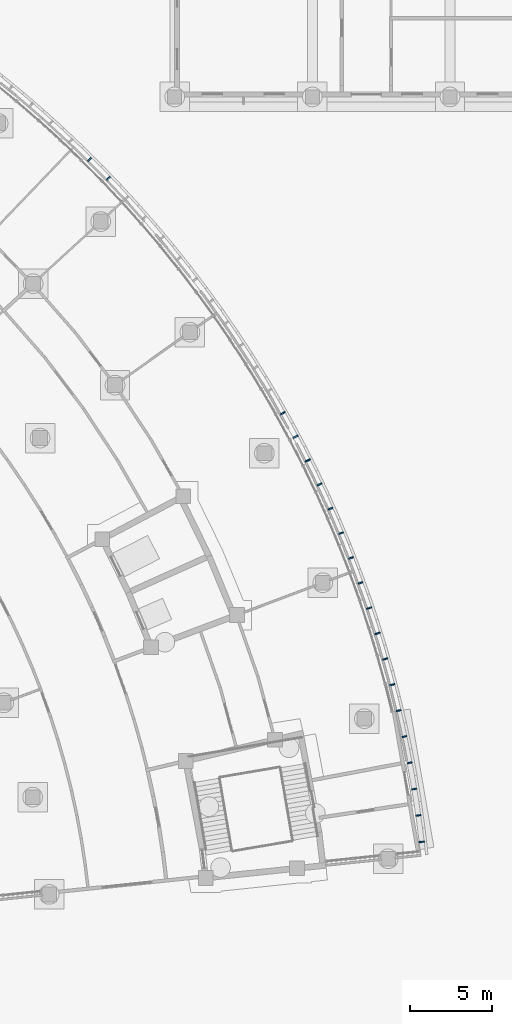
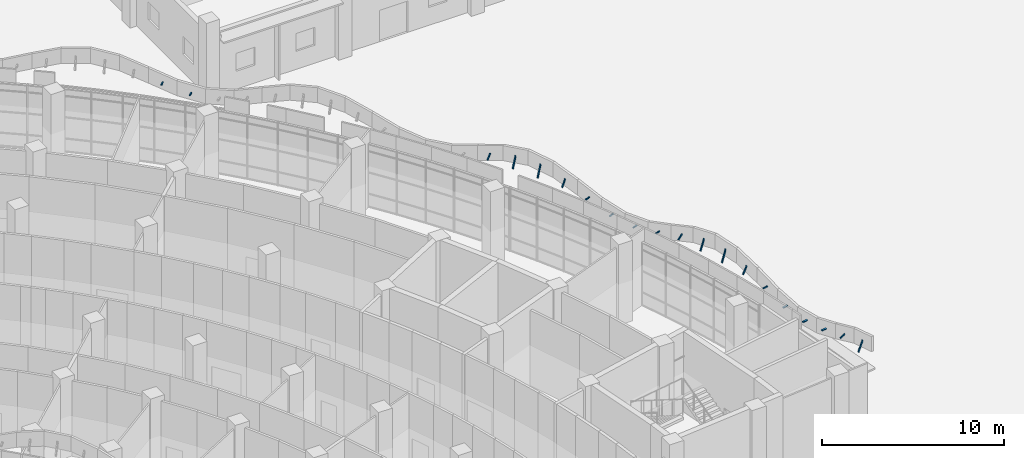
# One storey, part 113 of 146: 20 discrete accessories.
"""IFC4 building model written with IfcOpenShell, lengths in metres."""

from ifc_helpers import new_model, si_unit, direction, frame, origin, origin_2d, place, context, subcontext, project, spatial, rectangle, extrude, material, material_profile, profile_set, type_object, element, save


model = new_model("IFC4")

# Units and contexts
model_context = context("Model", 3, precision=1e-05, world=origin(), true_north=direction((0.0, 1.0)))
body_context = subcontext(model_context, "Body", "Model", "MODEL_VIEW")
ifc_project = project(units=[si_unit("LENGTHUNIT", "METRE"), si_unit("AREAUNIT", "SQUARE_METRE"), si_unit("VOLUMEUNIT", "CUBIC_METRE"), si_unit("PLANEANGLEUNIT", "RADIAN"), si_unit("MASSUNIT", "GRAM", prefix="KILO")], contexts=[model_context])

# Site, building, storey
site_placement = place(None, origin())
site = spatial("IfcSite", under=ifc_project, at=site_placement, CompositionType="ELEMENT")
building_placement = place(site_placement, origin())
building = spatial("IfcBuilding", under=site, at=building_placement, Name="Bougainvillea Quay General Hospital", CompositionType="ELEMENT")
storey_placement = place(building_placement, origin())
storey = spatial("IfcBuildingStorey", under=building, at=storey_placement, Name="L00", CompositionType="ELEMENT", Elevation=0.0)

# Discrete accessories
ifc_material = material(Name="Stainless steel bracket, grade 316", Category="steel")
ifc_material_profile = material_profile(ifc_material, rectangle(XDim=0.080078125, YDim=0.050048828125, at=origin_2d()))
ifc_profile_set = profile_set([ifc_material_profile], Name="Stainless steel bracket, grade 316")
discrete_accessory_type = type_object("IfcDiscreteAccessoryType", Name="Stainless steel stand-off bracket 80x50", PredefinedType="BRACKET", material=ifc_profile_set)
discrete_accessory_1_placement = place(storey_placement, frame((178.72265625, 30.123779296875, 5.340087890625), z_axis=(0.409064049462, 0.047573378398, 0.911264712971), x_axis=(-0.115519524784, 0.993305209587, 0.0)))
element("IfcDiscreteAccessory", 1, at=discrete_accessory_1_placement, inside=storey, type_object=discrete_accessory_type, Name="Fascia bracket a23 1", PredefinedType="BRACKET", context=body_context, shape_type="SweptSolid", body=[
    extrude(rectangle(XDim=0.080078125, YDim=0.050048828125, at=origin_2d()), origin(), (0.0, 0.0, 1.0), 0.728759765625),
])
discrete_accessory_2_placement = place(storey_placement, frame((178.515625, 31.734619140625, 5.340087890625), z_axis=(0.835574458245, 0.117502658191, 0.536664187409), x_axis=(-0.139254831399, 0.990256578838, 0.0)))
element("IfcDiscreteAccessory", 2, at=discrete_accessory_2_placement, inside=storey, type_object=discrete_accessory_type, Name="Fascia bracket a23 2", PredefinedType="BRACKET", context=body_context, shape_type="SweptSolid", body=[
    extrude(rectangle(XDim=0.080078125, YDim=0.050048828125, at=origin_2d()), origin(), (0.0, 0.0, 1.0), 0.355224609375),
])
for number, where, z_axis, x_axis, name in (
    (3, (178.27099609375, 33.34033203125, 4.982177734375), (0.986808496328, 0.161891913248, 0.0), (-0.161891913248, 0.986808496328, 0.0), "Fascia bracket a23 3"),
    (4, (177.9892578125, 34.93994140625, 4.673583984375), (0.982798426124, 0.184681492326, 0.0), (-0.184681492326, 0.982798426124, 0.0), "Fascia bracket a23 4"),
    (5, (177.67041015625, 36.532470703125, 4.7822265625), (0.978229118806, 0.207527808066, 0.0), (-0.207527808066, 0.978229118806, 0.0), "Fascia bracket a23 5"),
    (6, (177.31494140625, 38.1171875, 5.24560546875), (0.973128285199, 0.230263632702, 0.0), (-0.230263632702, 0.973128285199, 0.0), "Fascia bracket a23 6"),
):
    element("IfcDiscreteAccessory", number, at=place(storey_placement, frame(where, z_axis=z_axis, x_axis=x_axis)), inside=storey, type_object=discrete_accessory_type, Name=name, PredefinedType="BRACKET", context=body_context, shape_type="SweptSolid", body=[
        extrude(rectangle(XDim=0.080078125, YDim=0.050048828125, at=origin_2d()), origin(), (0.0, 0.0, 1.0), 0.300048828125),
    ])
discrete_accessory_3_placement = place(storey_placement, frame((176.922607421875, 39.693359375, 5.340087890625), z_axis=(0.530356282501, 0.138722290881, 0.836348216728), x_axis=(-0.253051177421, 0.96745289374, 0.0)))
element("IfcDiscreteAccessory", 7, at=discrete_accessory_3_placement, inside=storey, type_object=discrete_accessory_type, Name="Fascia bracket a23 7", PredefinedType="BRACKET", context=body_context, shape_type="SweptSolid", body=[
    extrude(rectangle(XDim=0.080078125, YDim=0.050048828125, at=origin_2d()), origin(), (0.0, 0.0, 1.0), 0.54736328125),
])
discrete_accessory_4_placement = place(storey_placement, frame((176.493896484375, 41.260009765625, 5.340087890625), z_axis=(0.34445387998, 0.098582058792, 0.933612929565), x_axis=(-0.275151168114, 0.961400974977, 0.0)))
element("IfcDiscreteAccessory", 8, at=discrete_accessory_4_placement, inside=storey, type_object=discrete_accessory_type, Name="Fascia bracket a23 8", PredefinedType="BRACKET", context=body_context, shape_type="SweptSolid", body=[
    extrude(rectangle(XDim=0.080078125, YDim=0.050048828125, at=origin_2d()), origin(), (0.0, 0.0, 1.0), 0.837158203125),
])
discrete_accessory_5_placement = place(storey_placement, frame((176.02880859375, 42.816162109375, 5.340087890625), z_axis=(0.380308811324, 0.118664130388, 0.917215368487), x_axis=(-0.297857918398, 0.954610213882, 0.0)))
element("IfcDiscreteAccessory", 9, at=discrete_accessory_5_placement, inside=storey, type_object=discrete_accessory_type, Name="Fascia bracket a23 9", PredefinedType="BRACKET", context=body_context, shape_type="SweptSolid", body=[
    extrude(rectangle(XDim=0.080078125, YDim=0.050048828125, at=origin_2d()), origin(), (0.0, 0.0, 1.0), 0.7529296875),
])
discrete_accessory_6_placement = place(storey_placement, frame((175.52783203125, 44.361328125, 5.340087890625), z_axis=(0.742850929736, 0.250169728914, 0.620957005698), x_axis=(-0.319157293098, 0.947701758077, 0.0)))
element("IfcDiscreteAccessory", 10, at=discrete_accessory_6_placement, inside=storey, type_object=discrete_accessory_type, Name="Fascia bracket a23 10", PredefinedType="BRACKET", context=body_context, shape_type="SweptSolid", body=[
    extrude(rectangle(XDim=0.080078125, YDim=0.050048828125, at=origin_2d()), origin(), (0.0, 0.0, 1.0), 0.382568359375),
])
for number, where, z_axis, x_axis, name in (
    (11, (174.9912109375, 45.894287109375, 5.0224609375), (0.94005454712, 0.341024117094, 0.0), (-0.341024117094, 0.94005454712, 0.0), "Fascia bracket a23 11"),
    (12, (174.4189453125, 47.414306640625, 4.684326171875), (0.931805989628, 0.362956743558, 0.0), (-0.362956743558, 0.931805989628, 0.0), "Fascia bracket a23 12"),
    (13, (173.811767578125, 48.920654296875, 4.757080078125), (0.922932383394, 0.384962096424, 0.0), (-0.384962096424, 0.922932383394, 0.0), "Fascia bracket a23 13"),
    (14, (173.169677734375, 50.41259765625, 5.19921875), (0.913845102344, 0.406062961772, 0.0), (-0.406062961772, 0.913845102344, 0.0), "Fascia bracket a23 14"),
):
    element("IfcDiscreteAccessory", number, at=place(storey_placement, frame(where, z_axis=z_axis, x_axis=x_axis)), inside=storey, type_object=discrete_accessory_type, Name=name, PredefinedType="BRACKET", context=body_context, shape_type="SweptSolid", body=[
        extrude(rectangle(XDim=0.080078125, YDim=0.050048828125, at=origin_2d()), origin(), (0.0, 0.0, 1.0), 0.300048828125),
    ])
discrete_accessory_7_placement = place(storey_placement, frame((172.4931640625, 51.889404296875, 5.340087890625), z_axis=(0.528488687297, 0.249260190948, 0.811522682744), x_axis=(-0.426580981793, 0.904449371702, 0.0)))
element("IfcDiscreteAccessory", 15, at=discrete_accessory_7_placement, inside=storey, type_object=discrete_accessory_type, Name="Fascia bracket a23 15", PredefinedType="BRACKET", context=body_context, shape_type="SweptSolid", body=[
    extrude(rectangle(XDim=0.080078125, YDim=0.050048828125, at=origin_2d()), origin(), (0.0, 0.0, 1.0), 0.51318359375),
])
discrete_accessory_8_placement = place(storey_placement, frame((171.78271484375, 53.349853515625, 5.340087890625), z_axis=(0.325028445163, 0.162662097215, 0.931610193141), x_axis=(-0.447539048834, 0.894264390306, 0.0)))
element("IfcDiscreteAccessory", 16, at=discrete_accessory_8_placement, inside=storey, type_object=discrete_accessory_type, Name="Fascia bracket a23 16", PredefinedType="BRACKET", context=body_context, shape_type="SweptSolid", body=[
    extrude(rectangle(XDim=0.080078125, YDim=0.050048828125, at=origin_2d()), origin(), (0.0, 0.0, 1.0), 0.825439453125),
])
discrete_accessory_9_placement = place(storey_placement, frame((171.038330078125, 54.79345703125, 5.340087890625), z_axis=(0.342182658877, 0.18148914504, 0.921939649975), x_axis=(-0.46856034887, 0.8834314911, 0.0)))
element("IfcDiscreteAccessory", 17, at=discrete_accessory_9_placement, inside=storey, type_object=discrete_accessory_type, Name="Fascia bracket a23 17", PredefinedType="BRACKET", context=body_context, shape_type="SweptSolid", body=[
    extrude(rectangle(XDim=0.080078125, YDim=0.050048828125, at=origin_2d()), origin(), (0.0, 0.0, 1.0), 0.77490234375),
])
discrete_accessory_10_placement = place(storey_placement, frame((170.260986328125, 56.219482421875, 5.340087890625), z_axis=(0.633817194602, 0.355339677198, 0.687029459074), x_axis=(-0.489024525164, 0.872270034902, 0.0)))
element("IfcDiscreteAccessory", 18, at=discrete_accessory_10_placement, inside=storey, type_object=discrete_accessory_type, Name="Fascia bracket a23 18", PredefinedType="BRACKET", context=body_context, shape_type="SweptSolid", body=[
    extrude(rectangle(XDim=0.080078125, YDim=0.050048828125, at=origin_2d()), origin(), (0.0, 0.0, 1.0), 0.412841796875),
])
discrete_accessory_11_placement = place(storey_placement, frame((159.642333984375, 70.528076171875, 4.715087890625), z_axis=(0.720801797987, 0.693141232376, 0.0), x_axis=(-0.693141232376, 0.720801797987, 0.0)))
element("IfcDiscreteAccessory", 19, at=discrete_accessory_11_placement, inside=storey, type_object=discrete_accessory_type, Name="Fascia bracket a23 29", PredefinedType="BRACKET", context=body_context, shape_type="SweptSolid", body=[
    extrude(rectangle(XDim=0.080078125, YDim=0.050048828125, at=origin_2d()), origin(), (0.0, 0.0, 1.0), 0.300048828125),
])
discrete_accessory_12_placement = place(storey_placement, frame((158.502685546875, 71.685302734375, 5.10888671875), z_axis=(0.704254757402, 0.70994734782, 0.0), x_axis=(-0.70994734782, 0.704254757402, 0.0)))
element("IfcDiscreteAccessory", 20, at=discrete_accessory_12_placement, inside=storey, type_object=discrete_accessory_type, Name="Fascia bracket a23 30", PredefinedType="BRACKET", context=body_context, shape_type="SweptSolid", body=[
    extrude(rectangle(XDim=0.080078125, YDim=0.050048828125, at=origin_2d()), origin(), (0.0, 0.0, 1.0), 0.30029296875),
])

save(model, "model.ifc")
